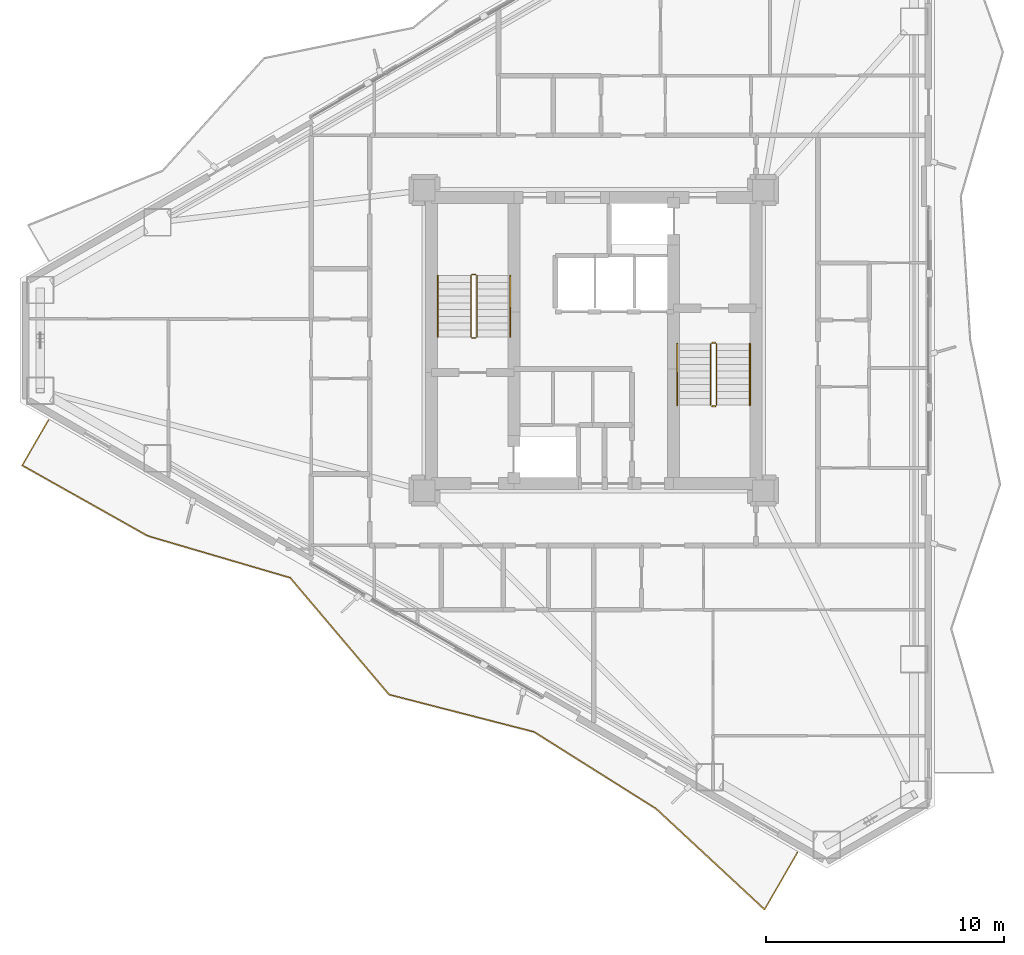
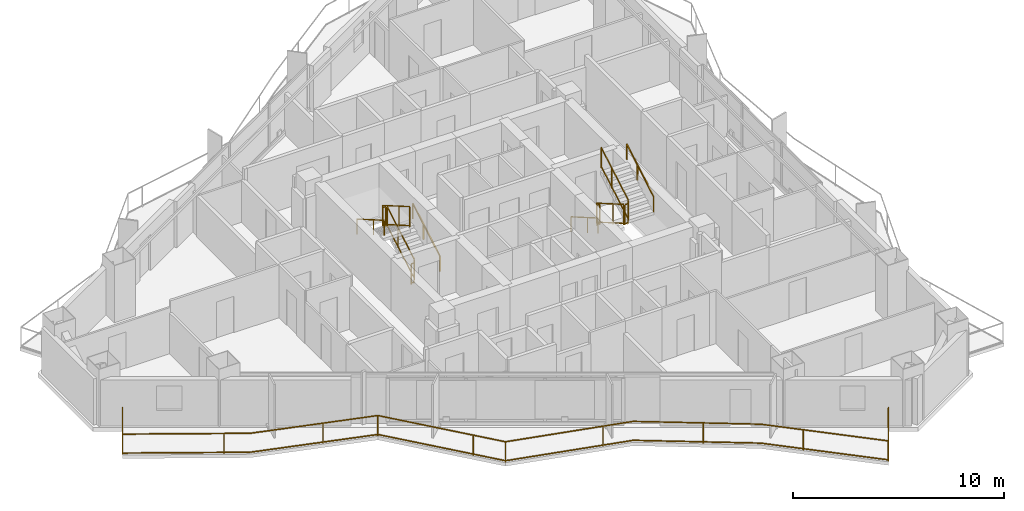
# One storey, part 21 of 22: 13 railings.
"""IFC4 building model written with IfcOpenShell, lengths in metres."""

from ifc_helpers import new_model, si_unit, direction, frame, origin, origin_2d, place, context, subcontext, project, spatial, rectangle, extrude, material, type_object, element, save


model = new_model("IFC4")

# Units and contexts
model_context = context("Model", 3, precision=1e-05, world=origin(), true_north=direction((0.0, 1.0)))
body_context = subcontext(model_context, "Body", "Model", "MODEL_VIEW")
ifc_project = project(units=[si_unit("LENGTHUNIT", "METRE"), si_unit("AREAUNIT", "SQUARE_METRE"), si_unit("VOLUMEUNIT", "CUBIC_METRE"), si_unit("PLANEANGLEUNIT", "RADIAN"), si_unit("MASSUNIT", "GRAM", prefix="KILO")], contexts=[model_context])

# Site, building, storey
site_placement = place(None, origin())
site = spatial("IfcSite", under=ifc_project, at=site_placement, CompositionType="ELEMENT")
building_placement = place(site_placement, origin())
building = spatial("IfcBuilding", under=site, at=building_placement, Name="Mersakhor Tower and Convention Hall", CompositionType="ELEMENT")
storey_placement = place(building_placement, frame((0.0, 0.0, 76.800048828125)))
storey = spatial("IfcBuildingStorey", under=building, at=storey_placement, Name="L20", CompositionType="ELEMENT", Elevation=76.800048828125)

# Railings
ifc_material_1 = material(Name="Powder-coated galvanised steel and laminated glass balustrade", Category="steel")
railing_type_1 = type_object("IfcRailingType", Name="RL-BAL-1200", PredefinedType="BALUSTRADE", material=ifc_material_1)
railing_1_placement = place(storey_placement, frame((6.1240234375, 23.4052734375, 0.0)))
element("IfcRailing", 1, at=railing_1_placement, inside=storey, type_object=railing_type_1, Name="L20 Sinusoidal Balcony Balustrade F3", PredefinedType="BALUSTRADE", context=body_context, shape_type="SweptSolid", body=[
    extrude(rectangle(XDim=0.048095703125, YDim=0.048095703125, at=origin_2d()), frame((0.0, 0.0, 1.17578125), z_axis=(-0.499896360094, -0.866085232044, 0.0), x_axis=(0.866085232044, -0.499896360094, 0.0)), (0.0, 0.0, 1.0), 2.1875),
    extrude(rectangle(XDim=0.048095703125, YDim=0.048095703125, at=origin_2d()), frame((0.0, 0.0, 0.080078125), z_axis=(-0.499896360094, -0.866085232044, 0.0), x_axis=(0.866085232044, -0.499896360094, 0.0)), (0.0, 0.0, 1.0), 2.1875),
    extrude(rectangle(XDim=0.048095703125, YDim=0.048095703125, at=origin_2d()), frame((-1.093505859375, -1.89453125, 1.17578125), z_axis=(0.871737236909, -0.489973662339, 0.0), x_axis=(0.489973662339, 0.871737236909, 0.0)), (0.0, 0.0, 1.0), 6.046630859375),
    extrude(rectangle(XDim=0.048095703125, YDim=0.048095703125, at=origin_2d()), frame((-1.093505859375, -1.89453125, 0.080078125), z_axis=(0.871737236909, -0.489973662339, 0.0), x_axis=(0.489973662339, 0.871737236909, 0.0)), (0.0, 0.0, 1.0), 6.046630859375),
    extrude(rectangle(XDim=0.048095703125, YDim=0.048095703125, at=origin_2d()), frame((4.177490234375, -4.857177734375, 1.17578125), z_axis=(0.959525304917, -0.281622423154, 0.0), x_axis=(0.281622423154, 0.959525304917, 0.0)), (0.0, 0.0, 1.0), 6.2216796875),
    extrude(rectangle(XDim=0.048095703125, YDim=0.048095703125, at=origin_2d()), frame((4.177490234375, -4.857177734375, 0.080078125), z_axis=(0.959525304917, -0.281622423154, 0.0), x_axis=(0.281622423154, 0.959525304917, 0.0)), (0.0, 0.0, 1.0), 6.2216796875),
    extrude(rectangle(XDim=0.048095703125, YDim=0.048095703125, at=origin_2d()), frame((10.1474609375, -6.609375, 1.17578125), z_axis=(0.646231833993, -0.763141151252, 0.0), x_axis=(0.763141151252, 0.646231833993, 0.0)), (0.0, 0.0, 1.0), 6.423583984375),
    extrude(rectangle(XDim=0.048095703125, YDim=0.048095703125, at=origin_2d()), frame((10.1474609375, -6.609375, 0.080078125), z_axis=(0.646231833993, -0.763141151252, 0.0), x_axis=(0.763141151252, 0.646231833993, 0.0)), (0.0, 0.0, 1.0), 6.423583984375),
    extrude(rectangle(XDim=0.048095703125, YDim=0.048095703125, at=origin_2d()), frame((14.298583984375, -11.511474609375, 1.17578125), z_axis=(0.968524551769, -0.248918043985, 0.0), x_axis=(0.248918043985, 0.968524551769, 0.0)), (0.0, 0.0, 1.0), 6.277099609375),
    extrude(rectangle(XDim=0.048095703125, YDim=0.048095703125, at=origin_2d()), frame((14.298583984375, -11.511474609375, 0.080078125), z_axis=(0.968524551769, -0.248918043985, 0.0), x_axis=(0.248918043985, 0.968524551769, 0.0)), (0.0, 0.0, 1.0), 6.277099609375),
    extrude(rectangle(XDim=0.048095703125, YDim=0.048095703125, at=origin_2d()), frame((20.378173828125, -13.073974609375, 1.17578125), z_axis=(0.846189040464, -0.532882827456, 0.0), x_axis=(0.532882827456, 0.846189040464, 0.0)), (0.0, 0.0, 1.0), 6.05078125),
    extrude(rectangle(XDim=0.048095703125, YDim=0.048095703125, at=origin_2d()), frame((20.378173828125, -13.073974609375, 0.080078125), z_axis=(0.846189040464, -0.532882827456, 0.0), x_axis=(0.532882827456, 0.846189040464, 0.0)), (0.0, 0.0, 1.0), 6.05078125),
    extrude(rectangle(XDim=0.048095703125, YDim=0.048095703125, at=origin_2d()), frame((25.498291015625, -16.29833984375, 1.17578125), z_axis=(0.732799099615, -0.680445059945, 0.0), x_axis=(0.680445059945, 0.732799099615, 0.0)), (0.0, 0.0, 1.0), 6.2021484375),
    extrude(rectangle(XDim=0.048095703125, YDim=0.048095703125, at=origin_2d()), frame((25.498291015625, -16.29833984375, 0.080078125), z_axis=(0.732799099615, -0.680445059945, 0.0), x_axis=(0.680445059945, 0.732799099615, 0.0)), (0.0, 0.0, 1.0), 6.2021484375),
    extrude(rectangle(XDim=0.048095703125, YDim=0.048095703125, at=origin_2d()), frame((30.043212890625, -20.5185546875, 1.17578125), z_axis=(0.499999305434, 0.866025804792, 0.0), x_axis=(-0.866025804792, 0.499999305434, 0.0)), (0.0, 0.0, 1.0), 2.748046875),
    extrude(rectangle(XDim=0.048095703125, YDim=0.048095703125, at=origin_2d()), frame((30.043212890625, -20.5185546875, 0.080078125), z_axis=(0.499999305434, 0.866025804792, 0.0), x_axis=(-0.866025804792, 0.499999305434, 0.0)), (0.0, 0.0, 1.0), 2.748046875),
    extrude(rectangle(XDim=0.0419921875, YDim=0.0419921875, at=origin_2d()), origin(), (0.0, 0.0, 1.0), 1.15185546875),
    extrude(rectangle(XDim=0.0419921875, YDim=0.0419921875, at=origin_2d()), frame((-1.093505859375, -1.89453125, 0.0)), (0.0, 0.0, 1.0), 1.15185546875),
    extrude(rectangle(XDim=0.0419921875, YDim=0.0419921875, at=origin_2d()), frame((3.0908203125, -4.246337890625, 0.0)), (0.0, 0.0, 1.0), 1.15185546875),
    extrude(rectangle(XDim=0.0419921875, YDim=0.0419921875, at=origin_2d()), frame((7.587158203125, -5.85791015625, 0.0)), (0.0, 0.0, 1.0), 1.15185546875),
    extrude(rectangle(XDim=0.0419921875, YDim=0.0419921875, at=origin_2d()), frame((10.1474609375, -6.609375, 0.0)), (0.0, 0.0, 1.0), 1.15185546875),
    extrude(rectangle(XDim=0.0419921875, YDim=0.0419921875, at=origin_2d()), frame((13.249267578125, -10.2724609375, 0.0)), (0.0, 0.0, 1.0), 1.15185546875),
    extrude(rectangle(XDim=0.0419921875, YDim=0.0419921875, at=origin_2d()), frame((14.298583984375, -11.511474609375, 0.0)), (0.0, 0.0, 1.0), 1.15185546875),
    extrude(rectangle(XDim=0.0419921875, YDim=0.0419921875, at=origin_2d()), frame((18.947509765625, -12.706298828125, 0.0)), (0.0, 0.0, 1.0), 1.15185546875),
    extrude(rectangle(XDim=0.0419921875, YDim=0.0419921875, at=origin_2d()), frame((23.18994140625, -14.8447265625, 0.0)), (0.0, 0.0, 1.0), 1.15185546875),
    extrude(rectangle(XDim=0.0419921875, YDim=0.0419921875, at=origin_2d()), frame((27.0166015625, -17.708251953125, 0.0)), (0.0, 0.0, 1.0), 1.15185546875),
    extrude(rectangle(XDim=0.0419921875, YDim=0.0419921875, at=origin_2d()), frame((30.043212890625, -20.5185546875, 0.0)), (0.0, 0.0, 1.0), 1.15185546875),
    extrude(rectangle(XDim=0.0419921875, YDim=0.0419921875, at=origin_2d()), frame((31.417236328125, -18.138671875, 0.0)), (0.0, 0.0, 1.0), 1.15185546875),
])
ifc_material_2 = material(Name="Brushed stainless steel handrail", Category="steel")
railing_type_2 = type_object("IfcRailingType", Name="RL-HR-900", PredefinedType="HANDRAIL", material=ifc_material_2)
railing_2_placement = place(storey_placement, frame((25.5, 26.89990234375, 0.1650390625)))
element("IfcRailing", 2, at=railing_2_placement, inside=storey, type_object=railing_type_2, Name="L20 ST-1 stair handrail 1", PredefinedType="HANDRAIL", context=body_context, shape_type="SweptSolid", body=[
    extrude(rectangle(XDim=0.048095703125, YDim=0.048095703125, at=origin_2d()), frame((0.0, 0.0, 0.8759765625), z_axis=(0.0, 0.865461999751, 0.500974577186), x_axis=(-1.0, 0.0, 0.0)), (0.0, 0.0, 1.0), 2.9638671875),
    extrude(rectangle(XDim=0.0419921875, YDim=0.0419921875, at=origin_2d()), origin(), (0.0, 0.0, 1.0), 0.851806640625),
    extrude(rectangle(XDim=0.0419921875, YDim=0.0419921875, at=origin_2d()), frame((0.0, 1.557861328125, 0.90185546875)), (0.0, 0.0, 1.0), 0.851806640625),
    extrude(rectangle(XDim=0.0419921875, YDim=0.0419921875, at=origin_2d()), frame((0.0, 2.565185546875, 1.48486328125)), (0.0, 0.0, 1.0), 0.851806640625),
])
railing_3_placement = place(storey_placement, frame((22.449951171875, 29.465087890625, 1.81494140625)))
element("IfcRailing", 3, at=railing_3_placement, inside=storey, type_object=railing_type_2, Name="L20 ST-1 stair handrail 2", PredefinedType="HANDRAIL", context=body_context, shape_type="SweptSolid", body=[
    extrude(rectangle(XDim=0.048095703125, YDim=0.048095703125, at=origin_2d()), frame((0.0, 0.0, 0.8759765625), z_axis=(0.0, -0.865426285481, 0.501036270542), x_axis=(1.0, 0.0, 0.0)), (0.0, 0.0, 1.0), 2.964111328125),
    extrude(rectangle(XDim=0.0419921875, YDim=0.0419921875, at=origin_2d()), origin(), (0.0, 0.0, 1.0), 0.851806640625),
    extrude(rectangle(XDim=0.0419921875, YDim=0.0419921875, at=origin_2d()), frame((0.0, -1.557861328125, 0.90185546875)), (0.0, 0.0, 1.0), 0.851806640625),
    extrude(rectangle(XDim=0.0419921875, YDim=0.0419921875, at=origin_2d()), frame((0.0, -2.565185546875, 1.485107421875)), (0.0, 0.0, 1.0), 0.851806640625),
])
railing_4_placement = place(storey_placement, frame((32.5, 26.60009765625, 0.1650390625)))
element("IfcRailing", 4, at=railing_4_placement, inside=storey, type_object=railing_type_2, Name="L20 ST-2 stair handrail 1", PredefinedType="HANDRAIL", context=body_context, shape_type="SweptSolid", body=[
    extrude(rectangle(XDim=0.048095703125, YDim=0.048095703125, at=origin_2d()), frame((0.0, 0.0, 0.8759765625), z_axis=(0.0, -0.865461999751, 0.500974577186), x_axis=(1.0, 0.0, 0.0)), (0.0, 0.0, 1.0), 2.9638671875),
    extrude(rectangle(XDim=0.0419921875, YDim=0.0419921875, at=origin_2d()), origin(), (0.0, 0.0, 1.0), 0.851806640625),
    extrude(rectangle(XDim=0.0419921875, YDim=0.0419921875, at=origin_2d()), frame((0.0, -1.557861328125, 0.90185546875)), (0.0, 0.0, 1.0), 0.851806640625),
    extrude(rectangle(XDim=0.0419921875, YDim=0.0419921875, at=origin_2d()), frame((0.0, -2.565185546875, 1.48486328125)), (0.0, 0.0, 1.0), 0.851806640625),
])
railing_5_placement = place(storey_placement, frame((35.550048828125, 24.034912109375, 1.81494140625)))
element("IfcRailing", 5, at=railing_5_placement, inside=storey, type_object=railing_type_2, Name="L20 ST-2 stair handrail 2", PredefinedType="HANDRAIL", context=body_context, shape_type="SweptSolid", body=[
    extrude(rectangle(XDim=0.048095703125, YDim=0.048095703125, at=origin_2d()), frame((0.0, 0.0, 0.8759765625), z_axis=(0.0, 0.865426285481, 0.501036270542), x_axis=(-1.0, 0.0, 0.0)), (0.0, 0.0, 1.0), 2.964111328125),
    extrude(rectangle(XDim=0.0419921875, YDim=0.0419921875, at=origin_2d()), origin(), (0.0, 0.0, 1.0), 0.851806640625),
    extrude(rectangle(XDim=0.0419921875, YDim=0.0419921875, at=origin_2d()), frame((0.0, 1.557861328125, 0.90185546875)), (0.0, 0.0, 1.0), 0.851806640625),
    extrude(rectangle(XDim=0.0419921875, YDim=0.0419921875, at=origin_2d()), frame((0.0, 2.565185546875, 1.485107421875)), (0.0, 0.0, 1.0), 0.851806640625),
])
ifc_material_3 = material(Name="Painted steel stair balustrade S355", Category="steel")
railing_type_3 = type_object("IfcRailingType", Name="RL-STG-1200", PredefinedType="BALUSTRADE", material=ifc_material_3)
railing_6_placement = place(storey_placement, frame((24.10009765625, 26.89990234375, 0.1650390625)))
element("IfcRailing", 6, at=railing_6_placement, inside=storey, type_object=railing_type_3, Name="L20 ST-1 stair guard 1", PredefinedType="BALUSTRADE", context=body_context, shape_type="SweptSolid", body=[
    extrude(rectangle(XDim=0.048095703125, YDim=0.048095703125, at=origin_2d()), frame((0.0, 0.0, 1.17578125), z_axis=(0.0, 0.865461999751, 0.500974577186), x_axis=(-1.0, 0.0, 0.0)), (0.0, 0.0, 1.0), 2.9638671875),
    extrude(rectangle(XDim=0.048095703125, YDim=0.048095703125, at=origin_2d()), frame((0.0, 0.0, 0.080078125), z_axis=(0.0, 0.865461999751, 0.500974577186), x_axis=(-1.0, 0.0, 0.0)), (0.0, 0.0, 1.0), 2.9638671875),
    extrude(rectangle(XDim=0.0419921875, YDim=0.0419921875, at=origin_2d()), origin(), (0.0, 0.0, 1.0), 1.15185546875),
    extrude(rectangle(XDim=0.0419921875, YDim=0.0419921875, at=origin_2d()), frame((0.0, 1.557861328125, 0.90185546875)), (0.0, 0.0, 1.0), 1.15185546875),
    extrude(rectangle(XDim=0.0419921875, YDim=0.0419921875, at=origin_2d()), frame((0.0, 2.565185546875, 1.48486328125)), (0.0, 0.0, 1.0), 1.15185546875),
])
railing_7_placement = place(storey_placement, frame((24.050048828125, 29.514892578125, 1.64990234375)))
element("IfcRailing", 7, at=railing_7_placement, inside=storey, type_object=railing_type_3, Name="L20 ST-1 stair guard 2", PredefinedType="BALUSTRADE", context=body_context, shape_type="SweptSolid", body=[
    extrude(rectangle(XDim=0.048095703125, YDim=0.048095703125, at=origin_2d()), frame((0.0, 0.0, 1.17578125), z_axis=(-1.0, 0.0, 0.0), x_axis=(0.0, -1.0, 0.0)), (0.0, 0.0, 1.0), 0.150146484375),
    extrude(rectangle(XDim=0.048095703125, YDim=0.048095703125, at=origin_2d()), frame((0.0, 0.0, 0.080078125), z_axis=(-1.0, 0.0, 0.0), x_axis=(0.0, -1.0, 0.0)), (0.0, 0.0, 1.0), 0.150146484375),
    extrude(rectangle(XDim=0.0419921875, YDim=0.0419921875, at=origin_2d()), origin(), (0.0, 0.0, 1.0), 1.15185546875),
    extrude(rectangle(XDim=0.0419921875, YDim=0.0419921875, at=origin_2d()), frame((-0.150146484375, 0.0, 0.0)), (0.0, 0.0, 1.0), 1.15185546875),
])
railing_8_placement = place(storey_placement, frame((23.85009765625, 29.465087890625, 1.81494140625)))
element("IfcRailing", 8, at=railing_8_placement, inside=storey, type_object=railing_type_3, Name="L20 ST-1 stair guard 3", PredefinedType="BALUSTRADE", context=body_context, shape_type="SweptSolid", body=[
    extrude(rectangle(XDim=0.048095703125, YDim=0.048095703125, at=origin_2d()), frame((0.0, 0.0, 1.17578125), z_axis=(0.0, -0.865426285481, 0.501036270542), x_axis=(1.0, 0.0, 0.0)), (0.0, 0.0, 1.0), 2.964111328125),
    extrude(rectangle(XDim=0.048095703125, YDim=0.048095703125, at=origin_2d()), frame((0.0, 0.0, 0.080078125), z_axis=(0.0, -0.865426285481, 0.501036270542), x_axis=(1.0, 0.0, 0.0)), (0.0, 0.0, 1.0), 2.964111328125),
    extrude(rectangle(XDim=0.0419921875, YDim=0.0419921875, at=origin_2d()), origin(), (0.0, 0.0, 1.0), 1.15185546875),
    extrude(rectangle(XDim=0.0419921875, YDim=0.0419921875, at=origin_2d()), frame((0.0, -1.557861328125, 0.90185546875)), (0.0, 0.0, 1.0), 1.15185546875),
    extrude(rectangle(XDim=0.0419921875, YDim=0.0419921875, at=origin_2d()), frame((0.0, -2.565185546875, 1.485107421875)), (0.0, 0.0, 1.0), 1.15185546875),
])
railing_9_placement = place(storey_placement, frame((24.050048828125, 26.85009765625, 0.0)))
element("IfcRailing", 9, at=railing_9_placement, inside=storey, type_object=railing_type_3, Name="L20 ST-1 stair guard 4", PredefinedType="BALUSTRADE", context=body_context, shape_type="SweptSolid", body=[
    extrude(rectangle(XDim=0.048095703125, YDim=0.048095703125, at=origin_2d()), frame((0.0, 0.0, 1.17578125), z_axis=(-1.0, 0.0, 0.0), x_axis=(0.0, -1.0, 0.0)), (0.0, 0.0, 1.0), 0.150146484375),
    extrude(rectangle(XDim=0.048095703125, YDim=0.048095703125, at=origin_2d()), frame((0.0, 0.0, 0.080078125), z_axis=(-1.0, 0.0, 0.0), x_axis=(0.0, -1.0, 0.0)), (0.0, 0.0, 1.0), 0.150146484375),
    extrude(rectangle(XDim=0.0419921875, YDim=0.0419921875, at=origin_2d()), origin(), (0.0, 0.0, 1.0), 1.15185546875),
    extrude(rectangle(XDim=0.0419921875, YDim=0.0419921875, at=origin_2d()), frame((-0.150146484375, 0.0, 0.0)), (0.0, 0.0, 1.0), 1.15185546875),
])
railing_10_placement = place(storey_placement, frame((33.89990234375, 26.60009765625, 0.1650390625)))
element("IfcRailing", 10, at=railing_10_placement, inside=storey, type_object=railing_type_3, Name="L20 ST-2 stair guard 1", PredefinedType="BALUSTRADE", context=body_context, shape_type="SweptSolid", body=[
    extrude(rectangle(XDim=0.048095703125, YDim=0.048095703125, at=origin_2d()), frame((0.0, 0.0, 1.17578125), z_axis=(0.0, -0.865461999751, 0.500974577186), x_axis=(1.0, 0.0, 0.0)), (0.0, 0.0, 1.0), 2.9638671875),
    extrude(rectangle(XDim=0.048095703125, YDim=0.048095703125, at=origin_2d()), frame((0.0, 0.0, 0.080078125), z_axis=(0.0, -0.865461999751, 0.500974577186), x_axis=(1.0, 0.0, 0.0)), (0.0, 0.0, 1.0), 2.9638671875),
    extrude(rectangle(XDim=0.0419921875, YDim=0.0419921875, at=origin_2d()), origin(), (0.0, 0.0, 1.0), 1.15185546875),
    extrude(rectangle(XDim=0.0419921875, YDim=0.0419921875, at=origin_2d()), frame((0.0, -1.557861328125, 0.90185546875)), (0.0, 0.0, 1.0), 1.15185546875),
    extrude(rectangle(XDim=0.0419921875, YDim=0.0419921875, at=origin_2d()), frame((0.0, -2.565185546875, 1.48486328125)), (0.0, 0.0, 1.0), 1.15185546875),
])
railing_11_placement = place(storey_placement, frame((33.949951171875, 23.985107421875, 1.64990234375)))
element("IfcRailing", 11, at=railing_11_placement, inside=storey, type_object=railing_type_3, Name="L20 ST-2 stair guard 2", PredefinedType="BALUSTRADE", context=body_context, shape_type="SweptSolid", body=[
    extrude(rectangle(XDim=0.048095703125, YDim=0.048095703125, at=origin_2d()), frame((0.0, 0.0, 1.17578125), z_axis=(1.0, 0.0, 0.0), x_axis=(0.0, 1.0, 0.0)), (0.0, 0.0, 1.0), 0.150146484375),
    extrude(rectangle(XDim=0.048095703125, YDim=0.048095703125, at=origin_2d()), frame((0.0, 0.0, 0.080078125), z_axis=(1.0, 0.0, 0.0), x_axis=(0.0, 1.0, 0.0)), (0.0, 0.0, 1.0), 0.150146484375),
    extrude(rectangle(XDim=0.0419921875, YDim=0.0419921875, at=origin_2d()), origin(), (0.0, 0.0, 1.0), 1.15185546875),
    extrude(rectangle(XDim=0.0419921875, YDim=0.0419921875, at=origin_2d()), frame((0.150146484375, 0.0, 0.0)), (0.0, 0.0, 1.0), 1.15185546875),
])
railing_12_placement = place(storey_placement, frame((34.14990234375, 24.034912109375, 1.81494140625)))
element("IfcRailing", 12, at=railing_12_placement, inside=storey, type_object=railing_type_3, Name="L20 ST-2 stair guard 3", PredefinedType="BALUSTRADE", context=body_context, shape_type="SweptSolid", body=[
    extrude(rectangle(XDim=0.048095703125, YDim=0.048095703125, at=origin_2d()), frame((0.0, 0.0, 1.17578125), z_axis=(0.0, 0.865426285481, 0.501036270542), x_axis=(-1.0, 0.0, 0.0)), (0.0, 0.0, 1.0), 2.964111328125),
    extrude(rectangle(XDim=0.048095703125, YDim=0.048095703125, at=origin_2d()), frame((0.0, 0.0, 0.080078125), z_axis=(0.0, 0.865426285481, 0.501036270542), x_axis=(-1.0, 0.0, 0.0)), (0.0, 0.0, 1.0), 2.964111328125),
    extrude(rectangle(XDim=0.0419921875, YDim=0.0419921875, at=origin_2d()), origin(), (0.0, 0.0, 1.0), 1.15185546875),
    extrude(rectangle(XDim=0.0419921875, YDim=0.0419921875, at=origin_2d()), frame((0.0, 1.557861328125, 0.90185546875)), (0.0, 0.0, 1.0), 1.15185546875),
    extrude(rectangle(XDim=0.0419921875, YDim=0.0419921875, at=origin_2d()), frame((0.0, 2.565185546875, 1.485107421875)), (0.0, 0.0, 1.0), 1.15185546875),
])
railing_13_placement = place(storey_placement, frame((33.949951171875, 26.64990234375, 0.0)))
element("IfcRailing", 13, at=railing_13_placement, inside=storey, type_object=railing_type_3, Name="L20 ST-2 stair guard 4", PredefinedType="BALUSTRADE", context=body_context, shape_type="SweptSolid", body=[
    extrude(rectangle(XDim=0.048095703125, YDim=0.048095703125, at=origin_2d()), frame((0.0, 0.0, 1.17578125), z_axis=(1.0, 0.0, 0.0), x_axis=(0.0, 1.0, 0.0)), (0.0, 0.0, 1.0), 0.150146484375),
    extrude(rectangle(XDim=0.048095703125, YDim=0.048095703125, at=origin_2d()), frame((0.0, 0.0, 0.080078125), z_axis=(1.0, 0.0, 0.0), x_axis=(0.0, 1.0, 0.0)), (0.0, 0.0, 1.0), 0.150146484375),
    extrude(rectangle(XDim=0.0419921875, YDim=0.0419921875, at=origin_2d()), origin(), (0.0, 0.0, 1.0), 1.15185546875),
    extrude(rectangle(XDim=0.0419921875, YDim=0.0419921875, at=origin_2d()), frame((0.150146484375, 0.0, 0.0)), (0.0, 0.0, 1.0), 1.15185546875),
])

save(model, "model.ifc")
